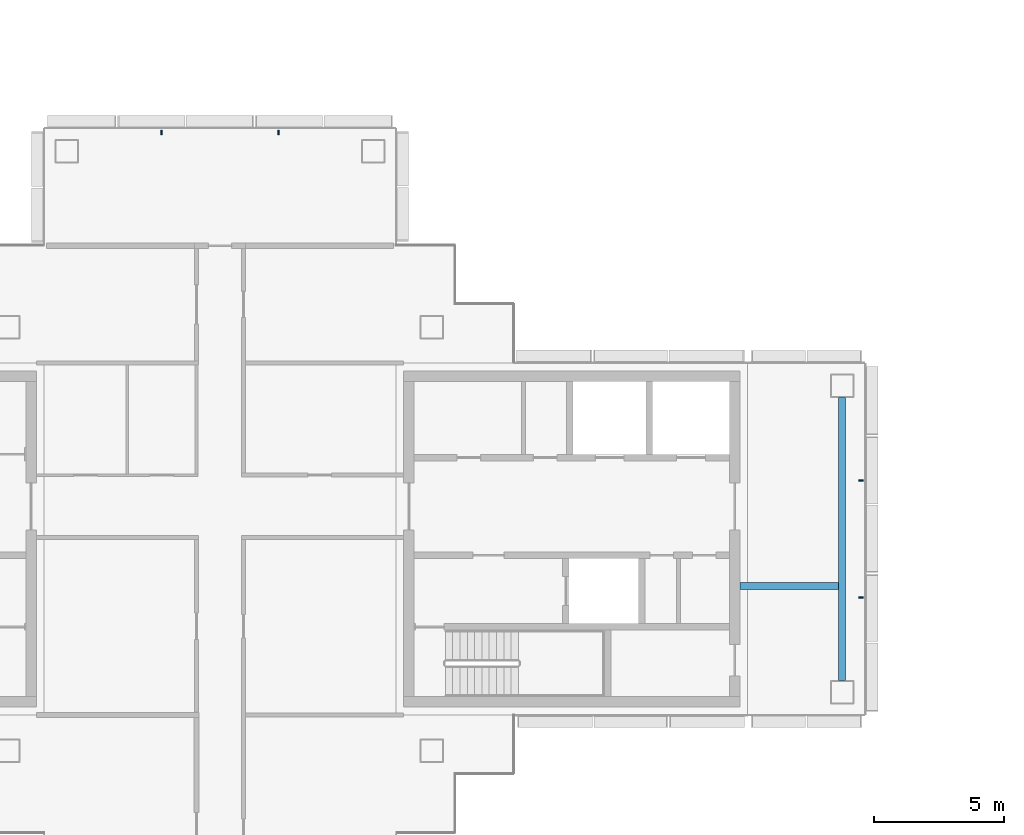
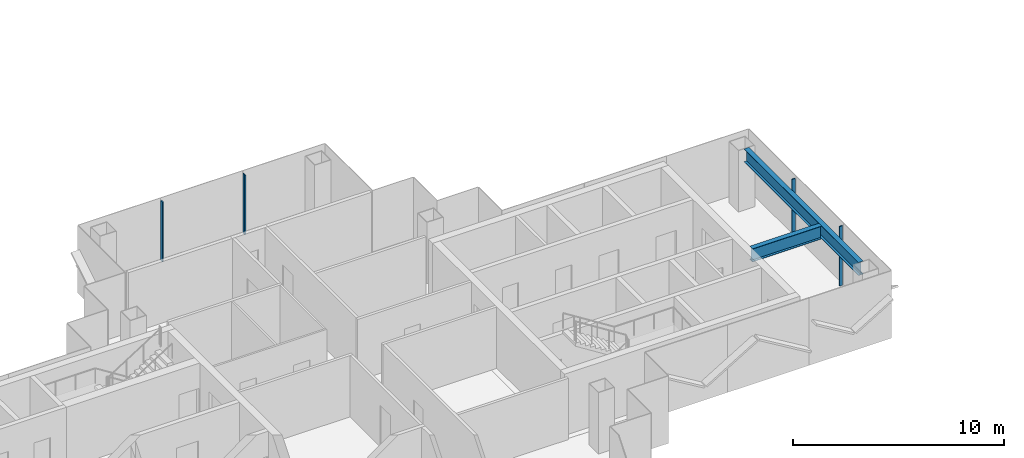
# One storey, part 4 of 17: 4 members, 2 beams, 2 elements without a shape of their own.
"""IFC4 building model written with IfcOpenShell, lengths in metres."""

from ifc_helpers import new_model, si_unit, direction, frame, origin, origin_2d, place, context, subcontext, project, spatial, rectangle, i_section, extrude, material, layer, layer_set, material_profile, profile_set, type_object, element, aggregate, save


model = new_model("IFC4")

# Units and contexts
model_context = context("Model", 3, precision=1e-05, world=origin(), true_north=direction((0.0, 1.0)))
body_context = subcontext(model_context, "Body", "Model", "MODEL_VIEW")
ifc_project = project(units=[si_unit("LENGTHUNIT", "METRE"), si_unit("AREAUNIT", "SQUARE_METRE"), si_unit("VOLUMEUNIT", "CUBIC_METRE"), si_unit("PLANEANGLEUNIT", "RADIAN"), si_unit("MASSUNIT", "GRAM", prefix="KILO")], contexts=[model_context])

# Site, building, storey
site_placement = place(None, origin())
site = spatial("IfcSite", under=ifc_project, at=site_placement, CompositionType="ELEMENT")
building_placement = place(site_placement, origin())
building = spatial("IfcBuilding", under=site, at=building_placement, Name="Shamsa Quay Exchange Towers", CompositionType="ELEMENT")
storey_placement = place(building_placement, frame((0.0, 0.0, 234.300048828125)))
storey = spatial("IfcBuildingStorey", under=building, at=storey_placement, Name="L56", CompositionType="ELEMENT", Elevation=234.300048828125)

# Curtain wall, members
ifc_material_1 = material(Name="Aluminium EN AW-6063 T6, black anodised", Category="aluminium")
ifc_layer = layer(ifc_material_1, 0.280029296875)
ifc_layer_set = layer_set([ifc_layer], Name="CW-1 UNITISED VISION GLASS")
curtain_wall_type = type_object("IfcCurtainWallType", Name="CW-1 UNITISED VISION GLASS", PredefinedType="NOTDEFINED", material=ifc_layer_set)
curtain_wall_1_placement = place(storey_placement, origin())
curtain_wall_1 = element("IfcCurtainWall", 1, at=curtain_wall_1_placement, inside=storey, type_object=curtain_wall_type, Name="CW1 T1-END-U+ L56", PredefinedType="NOTDEFINED")
ifc_material_profile_1 = material_profile(ifc_material_1, rectangle(XDim=0.179931640625, YDim=0.06005859375, at=origin_2d()), Name="MU60x180")
ifc_profile_set_1 = profile_set([ifc_material_profile_1], Name="Aluminium EN AW-6063 T6, black anodised")
member_type = type_object("IfcMemberType", Name="CW1 MULLION 60x180", PredefinedType="MULLION", material=ifc_profile_set_1)
member_1_placement = place(storey_placement, frame((-9.14990234375, -2.25, 0.0), z_axis=(0.0, 0.0, 1.0), x_axis=(-1.0, 0.0, 0.0)))
member_1 = element("IfcMember", 2, at=member_1_placement, type_object=member_type, Name="CW1 mullion", PredefinedType="MULLION", context=body_context, shape_type="SweptSolid", body=[
    extrude(rectangle(XDim=0.179931640625, YDim=0.06005859375, at=origin_2d()), origin(), (0.0, 0.0, 1.0), 3.449951171875),
])
member_2_placement = place(storey_placement, frame((-9.14990234375, 2.25, 0.0), z_axis=(0.0, 0.0, 1.0), x_axis=(-1.0, 0.0, 0.0)))
member_2 = element("IfcMember", 3, at=member_2_placement, type_object=member_type, Name="CW1 mullion", PredefinedType="MULLION", context=body_context, shape_type="SweptSolid", body=[
    extrude(rectangle(XDim=0.179931640625, YDim=0.06005859375, at=origin_2d()), origin(), (0.0, 0.0, 1.0), 3.449951171875),
])
aggregate(curtain_wall_1, [member_1, member_2])

curtain_wall_2_placement = place(storey_placement, origin())
curtain_wall_2 = element("IfcCurtainWall", 4, at=curtain_wall_2_placement, inside=storey, type_object=curtain_wall_type, Name="CW1 T1-END-V+ L56", PredefinedType="NOTDEFINED")
member_3_placement = place(storey_placement, frame((-31.5, 15.60009765625, 0.0), z_axis=(0.0, 0.0, 1.0), x_axis=(0.0, -1.0, 0.0)))
member_3 = element("IfcMember", 5, at=member_3_placement, type_object=member_type, Name="CW1 mullion", PredefinedType="MULLION", context=body_context, shape_type="SweptSolid", body=[
    extrude(rectangle(XDim=0.179931640625, YDim=0.06005859375, at=origin_2d()), origin(), (0.0, 0.0, 1.0), 3.449951171875),
])
member_4_placement = place(storey_placement, frame((-36.0, 15.60009765625, 0.0), z_axis=(0.0, 0.0, 1.0), x_axis=(0.0, -1.0, 0.0)))
member_4 = element("IfcMember", 6, at=member_4_placement, type_object=member_type, Name="CW1 mullion", PredefinedType="MULLION", context=body_context, shape_type="SweptSolid", body=[
    extrude(rectangle(XDim=0.179931640625, YDim=0.06005859375, at=origin_2d()), origin(), (0.0, 0.0, 1.0), 3.449951171875),
])
aggregate(curtain_wall_2, [member_3, member_4])

# Beams
ifc_material_2 = material(Name="Steel S355", Category="steel")
ifc_material_profile_2 = material_profile(ifc_material_2, i_section(OverallWidth=0.26611328125, OverallDepth=0.7578125, WebThickness=0.013916015625, FlangeThickness=0.019287109375, at=origin_2d()), Name="W30x108")
ifc_profile_set_2 = profile_set([ifc_material_profile_2], Name="Steel S355")
beam_type = type_object("IfcBeamType", Name="End-zone beam W30x108", PredefinedType="BEAM", material=ifc_profile_set_2)
beam_1_placement = place(storey_placement, frame((-9.875, -5.425048828125, 3.171142578125), z_axis=(0.0, 1.0, 0.0), x_axis=(-1.0, 0.0, 0.0)))
element("IfcBeam", 7, at=beam_1_placement, inside=storey, type_object=beam_type, Name="End beam T1 U+ end zone L56", PredefinedType="BEAM", context=body_context, shape_type="SweptSolid", body=[
    extrude(i_section(OverallWidth=0.26611328125, OverallDepth=0.7578125, WebThickness=0.013916015625, FlangeThickness=0.019287109375, at=origin_2d()), origin(), (0.0, 0.0, 1.0), 10.85009765625),
])
beam_2_placement = place(storey_placement, frame((-13.800048828125, -1.800048828125, 3.171142578125), z_axis=(1.0, 0.0, 0.0), x_axis=(0.0, 1.0, 0.0)))
element("IfcBeam", 8, at=beam_2_placement, inside=storey, type_object=beam_type, Name="Spine beam T1 U+ end zone L56", PredefinedType="BEAM", context=body_context, shape_type="SweptSolid", body=[
    extrude(i_section(OverallWidth=0.26611328125, OverallDepth=0.7578125, WebThickness=0.013916015625, FlangeThickness=0.019287109375, at=origin_2d()), origin(), (0.0, 0.0, 1.0), 3.7919921875),
])

save(model, "model.ifc")
